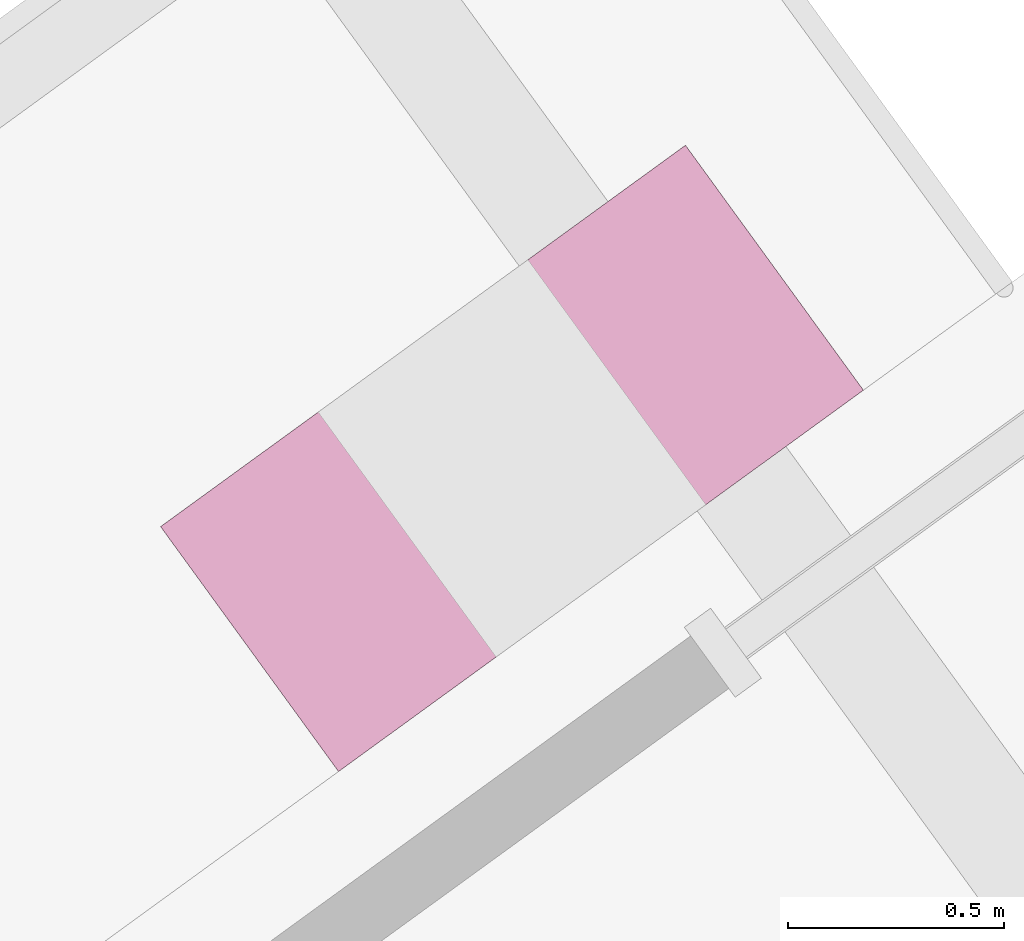
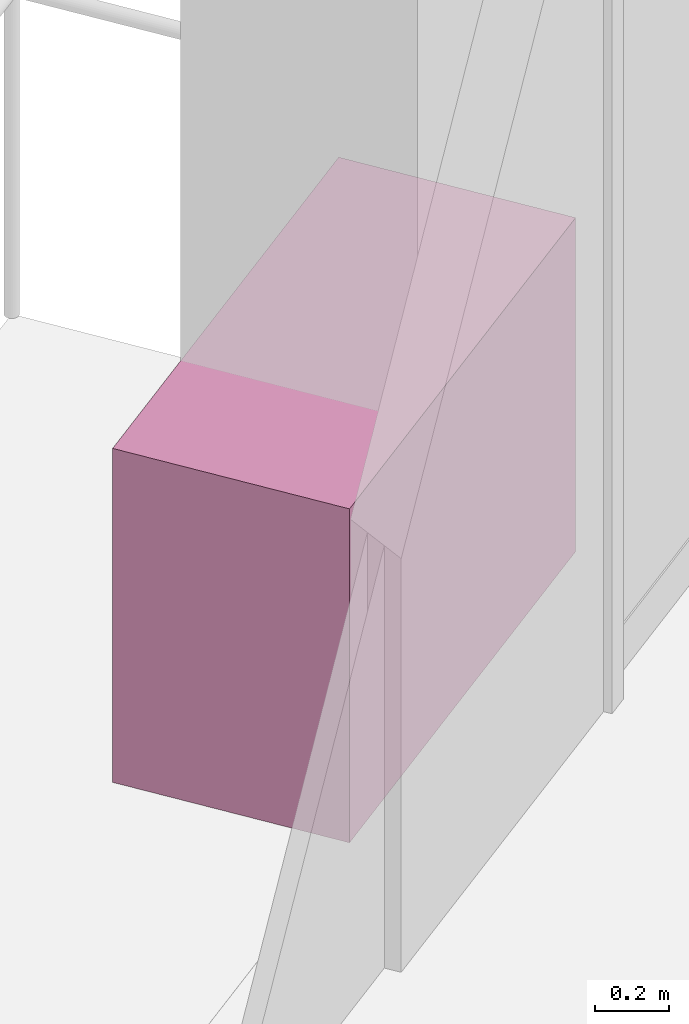
# One storey, part 20 of 21: 1 furniture element.
"""IFC4 building model written with IfcOpenShell, lengths in metres."""

from ifc_helpers import new_model, si_unit, direction, frame, origin, origin_2d, place, context, subcontext, project, spatial, rectangle, extrude, source, transform, mapped, material, type_object, element, save


model = new_model("IFC4")

# Units and contexts
model_context = context("Model", 3, precision=1e-05, world=origin(), true_north=direction((0.0, 1.0)))
body_context = subcontext(model_context, "Body", "Model", "MODEL_VIEW")
ifc_project = project(units=[si_unit("LENGTHUNIT", "METRE"), si_unit("AREAUNIT", "SQUARE_METRE"), si_unit("VOLUMEUNIT", "CUBIC_METRE"), si_unit("PLANEANGLEUNIT", "RADIAN"), si_unit("MASSUNIT", "GRAM", prefix="KILO")], contexts=[model_context])

# Site, building, storey
site_placement = place(None, origin())
site = spatial("IfcSite", under=ifc_project, at=site_placement, CompositionType="ELEMENT")
building_placement = place(site_placement, origin())
building = spatial("IfcBuilding", under=site, at=building_placement, Name="Triune Harvest Tower", CompositionType="ELEMENT")
storey_placement = place(building_placement, frame((0.0, 0.0, 72.89990234375)))
storey = spatial("IfcBuildingStorey", under=building, at=storey_placement, Name="L17", CompositionType="ELEMENT", Elevation=72.89990234375)

# Furniture
ifc_material = material(Name="Concrete 40 MPa", Category="concrete")
furniture_type = type_object("IfcFurnitureType", Name="PB-1 structural planter", AssemblyPlace="SITE", PredefinedType="USERDEFINED", material=ifc_material)
shared_shape = source(origin(), body_context, "Body", "SweptSolid", [
    extrude(rectangle(XDim=1.5, YDim=0.699951171875, at=origin_2d()), origin(), (0.0, 0.0, 1.0), 1.10009765625),
])
furniture_placement = place(storey_placement, frame((-21.056396484375, 13.56103515625, 0.0), z_axis=(0.0, 0.0, 1.0), x_axis=(-0.809017013446, -0.587785226043, 0.0)))
element("IfcFurniture", 1, at=furniture_placement, inside=storey, type_object=furniture_type, Name="Planter B2-F3 L17.9a", ObjectType="PLANTER", PredefinedType="USERDEFINED", context=body_context, shape_type="MappedRepresentation", body=[
    mapped(shared_shape, transform((0.0, 0.0, 0.0), scale=1.0)),
])

save(model, "model.ifc")
